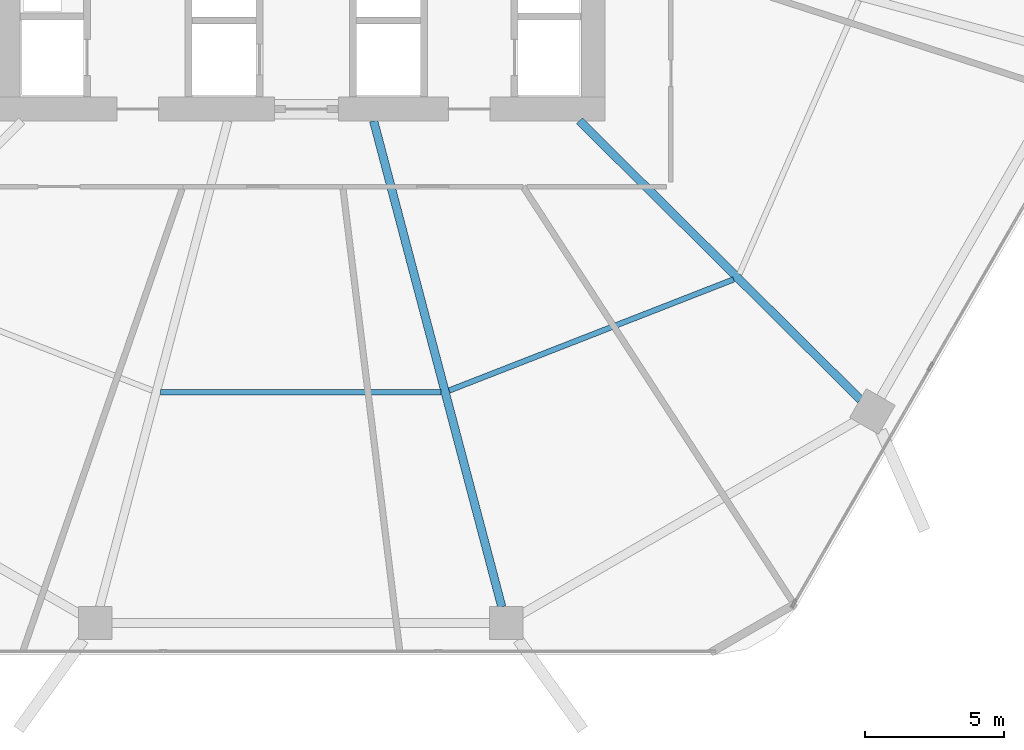
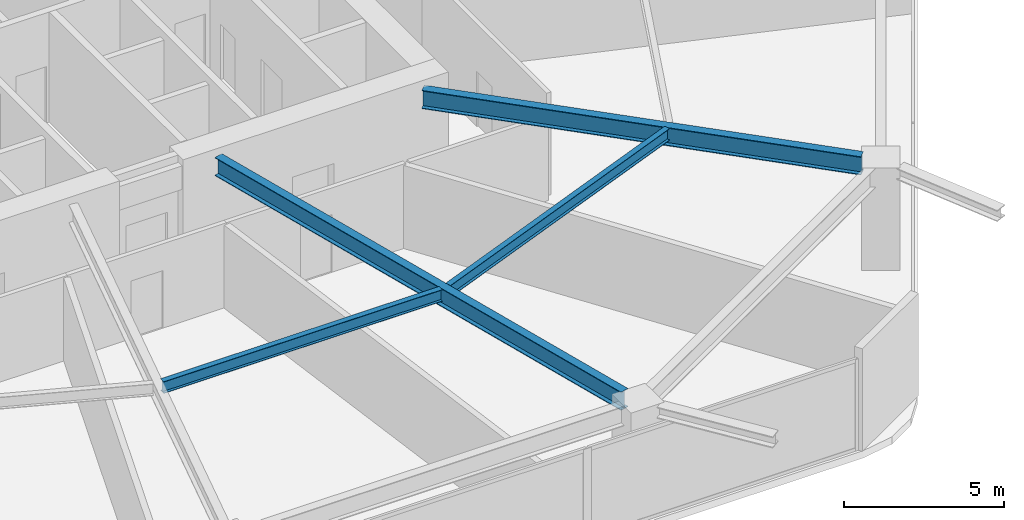
# One storey, part 8 of 25: 4 beams.
"""IFC4 building model written with IfcOpenShell, lengths in metres."""

from ifc_helpers import new_model, si_unit, direction, frame, origin, origin_2d, place, context, subcontext, project, spatial, i_section, extrude, material, material_profile, profile_set, type_object, element, save


model = new_model("IFC4")

# Units and contexts
model_context = context("Model", 3, precision=1e-05, world=origin(), true_north=direction((0.0, 1.0)))
body_context = subcontext(model_context, "Body", "Model", "MODEL_VIEW")
ifc_project = project(units=[si_unit("LENGTHUNIT", "METRE"), si_unit("AREAUNIT", "SQUARE_METRE"), si_unit("VOLUMEUNIT", "CUBIC_METRE"), si_unit("PLANEANGLEUNIT", "RADIAN"), si_unit("MASSUNIT", "GRAM", prefix="KILO")], contexts=[model_context])

# Site, building, storey
site_placement = place(None, origin())
site = spatial("IfcSite", under=ifc_project, at=site_placement, CompositionType="ELEMENT")
building_placement = place(site_placement, origin())
building = spatial("IfcBuilding", under=site, at=building_placement, Name="Zuhravey Tower", CompositionType="ELEMENT")
storey_placement = place(building_placement, frame((0.0, 0.0, 20.39990234375)))
storey = spatial("IfcBuildingStorey", under=building, at=storey_placement, Name="L05", CompositionType="ELEMENT", Elevation=20.39990234375)

# Beams
ifc_material = material(Name="Steel SM355", Category="steel")
ifc_material_profile_1 = material_profile(ifc_material, i_section(OverallWidth=0.300048828125, OverallDepth=0.699951171875, WebThickness=0.012939453125, FlangeThickness=0.02392578125, at=origin_2d()), Name="H-700x300x13x24")
ifc_profile_set_1 = profile_set([ifc_material_profile_1], Name="Steel SM355")
beam_type_1 = type_object("IfcBeamType", Name="Radial Primary Girder H700x300", PredefinedType="BEAM", material=ifc_profile_set_1)
beam_1_placement = place(storey_placement, frame((38.617919921875, 22.072021484375, 3.570068359375), z_axis=(0.254989720435, -0.966943763862, 0.0), x_axis=(0.966943763862, 0.254989720435, 0.0)))
element("IfcBeam", 1, at=beam_1_placement, inside=storey, type_object=beam_type_1, Name="L05 RG1 BM-L05-RAD-10", PredefinedType="BEAM", context=body_context, shape_type="SweptSolid", body=[
    extrude(i_section(OverallWidth=0.300048828125, OverallDepth=0.699951171875, WebThickness=0.012939453125, FlangeThickness=0.02392578125, at=origin_2d()), origin(), (0.0, 0.0, 1.0), 18.03369140625),
])
beam_2_placement = place(storey_placement, frame((46.007080078125, 22.072021484375, 3.570068359375), z_axis=(0.709902823282, -0.704299639, 0.0), x_axis=(0.704299639, 0.709902823282, 0.0)))
element("IfcBeam", 2, at=beam_2_placement, inside=storey, type_object=beam_type_1, Name="L05 RG1 BM-L05-RAD-11", PredefinedType="BEAM", context=body_context, shape_type="SweptSolid", body=[
    extrude(i_section(OverallWidth=0.300048828125, OverallDepth=0.699951171875, WebThickness=0.012939453125, FlangeThickness=0.02392578125, at=origin_2d()), origin(), (0.0, 0.0, 1.0), 14.204345703125),
])
ifc_material_profile_2 = material_profile(ifc_material, i_section(OverallWidth=0.199951171875, OverallDepth=0.449951171875, WebThickness=0.009033203125, FlangeThickness=0.013916015625, at=origin_2d()), Name="H-450x200x9x14")
ifc_profile_set_2 = profile_set([ifc_material_profile_2], Name="Steel SM355")
beam_type_2 = type_object("IfcBeamType", Name="Secondary Floor Joist H450x200", PredefinedType="JOIST", material=ifc_profile_set_2)
beam_3_placement = place(storey_placement, frame((30.969970703125, 12.3408203125, 3.695068359375), z_axis=(1.0, 0.0, 0.0), x_axis=(0.0, 1.0, 0.0)))
element("IfcBeam", 3, at=beam_3_placement, inside=storey, type_object=beam_type_2, Name="L05 SJ1 BM-L05-SJ-09-1", PredefinedType="JOIST", context=body_context, shape_type="SweptSolid", body=[
    extrude(i_section(OverallWidth=0.199951171875, OverallDepth=0.449951171875, WebThickness=0.009033203125, FlangeThickness=0.013916015625, at=origin_2d()), origin(), (0.0, 0.0, 1.0), 10.06005859375),
])
beam_4_placement = place(storey_placement, frame((41.32763671875, 12.39697265625, 3.695068359375), z_axis=(0.931516535886, 0.363698973562, 0.0), x_axis=(-0.363698973562, 0.931516535886, 0.0)))
element("IfcBeam", 4, at=beam_4_placement, inside=storey, type_object=beam_type_2, Name="L05 SJ1 BM-L05-SJ-10-1", PredefinedType="JOIST", context=body_context, shape_type="SweptSolid", body=[
    extrude(i_section(OverallWidth=0.199951171875, OverallDepth=0.449951171875, WebThickness=0.009033203125, FlangeThickness=0.013916015625, at=origin_2d()), origin(), (0.0, 0.0, 1.0), 10.963134765625),
])

save(model, "model.ifc")
